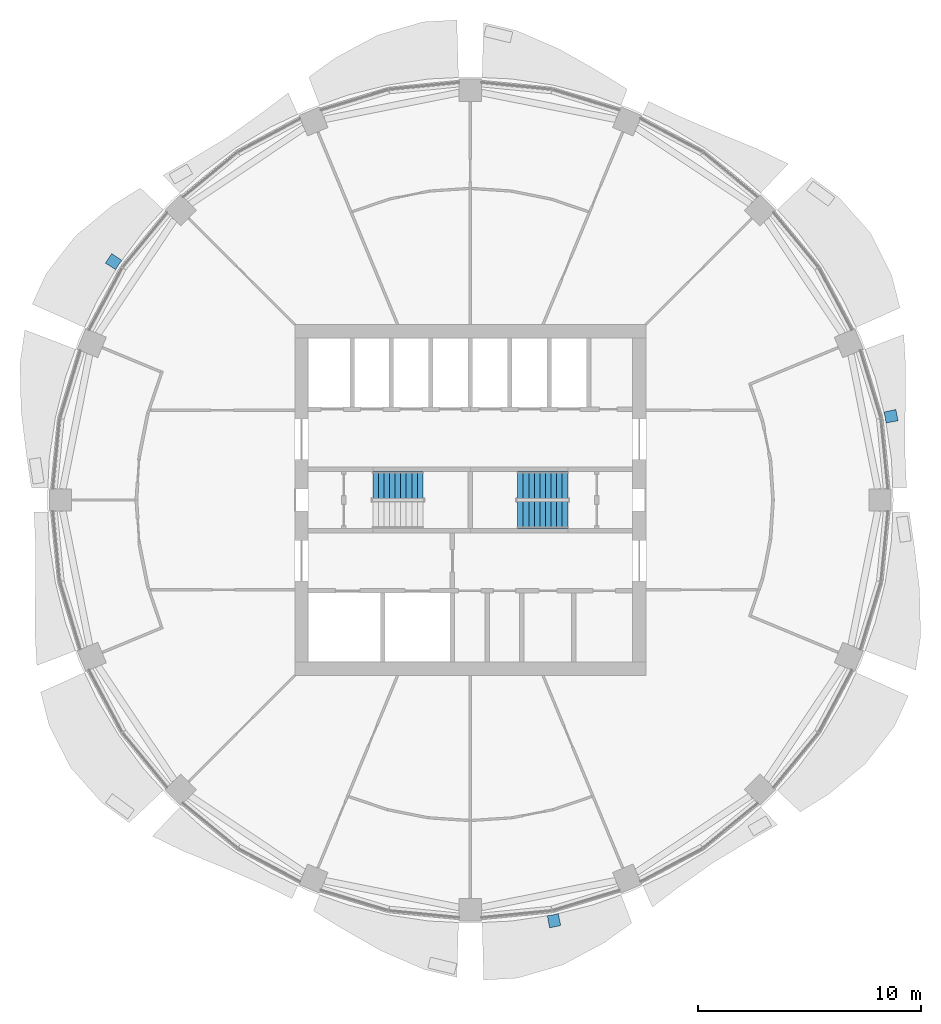
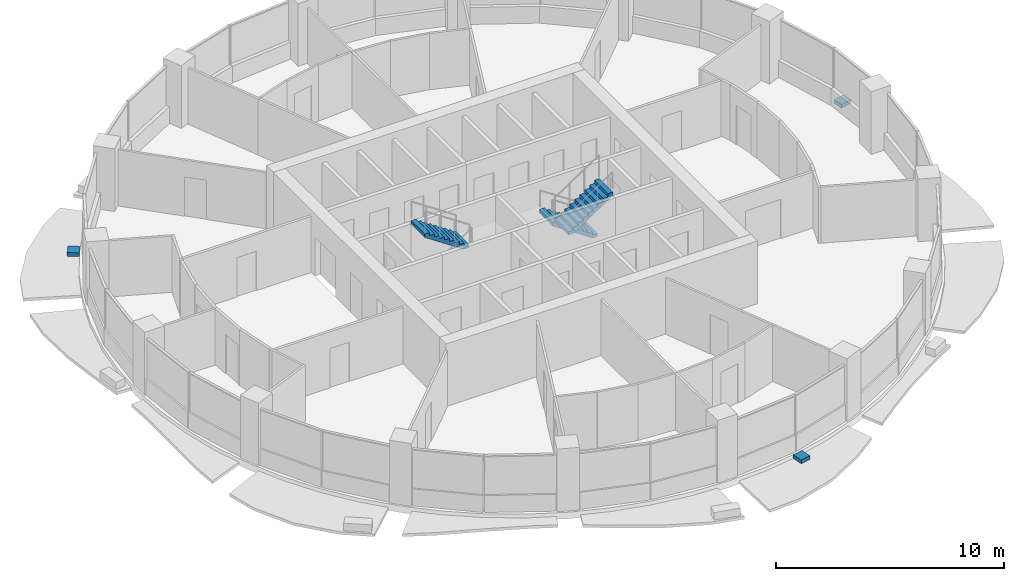
# One storey, part 11 of 15: 3 discrete accessories, 3 stair flights, 2 elements without a shape of their own.
"""IFC4 building model written with IfcOpenShell, lengths in metres."""

from ifc_helpers import new_model, si_unit, direction, frame, origin, place, context, subcontext, project, spatial, polyline, outline, extrude, material, type_object, element, aggregate, save


model = new_model("IFC4")

# Units and contexts
model_context = context("Model", 3, precision=1e-05, world=origin(), true_north=direction((0.0, 1.0)))
body_context = subcontext(model_context, "Body", "Model", "MODEL_VIEW")
ifc_project = project(units=[si_unit("LENGTHUNIT", "METRE"), si_unit("AREAUNIT", "SQUARE_METRE"), si_unit("VOLUMEUNIT", "CUBIC_METRE"), si_unit("PLANEANGLEUNIT", "RADIAN"), si_unit("MASSUNIT", "GRAM", prefix="KILO")], contexts=[model_context])

# Site, building, storey
site_placement = place(None, origin())
site = spatial("IfcSite", under=ifc_project, at=site_placement, CompositionType="ELEMENT")
building_placement = place(site_placement, origin())
building = spatial("IfcBuilding", under=site, at=building_placement, Name="Polderwave Tower", CompositionType="ELEMENT")
storey_placement = place(building_placement, frame((0.0, 0.0, 134.35009765625)))
storey = spatial("IfcBuildingStorey", under=building, at=storey_placement, Name="L35", CompositionType="ELEMENT", Elevation=134.35009765625)

# Stair, stair flight
ifc_material_1 = material(Name="Concrete C40/50", Category="concrete")
stair_type = type_object("IfcStairType", Name="Exit stair 1200 x 20 risers", PredefinedType="HALF_TURN_STAIR", material=ifc_material_1)
stair_1_placement = place(storey_placement, origin())
stair_1 = element("IfcStair", 1, at=stair_1_placement, inside=storey, type_object=stair_type, Name="L35 Exit stair A", PredefinedType="HALF_TURN_STAIR")
stair_flight_type = type_object("IfcStairFlightType", Name="Stair flight 1200", PredefinedType="STRAIGHT", material=ifc_material_1)
stair_flight_1_placement = place(storey_placement, frame((-2.1240234375, 0.675048828125, 1.6748046875), z_axis=(0.0, 0.0, 1.0), x_axis=(-1.0, 0.0, 0.0)))
stair_flight_1 = element("IfcStairFlight", 2, at=stair_flight_1_placement, type_object=stair_flight_type, Name="ST-A flight 2", NumberOfRisers=10, NumberOfTreads=9, PredefinedType="STRAIGHT", RiserHeight=0.1675, TreadLength=0.25, context=body_context, shape_type="SweptSolid", body=[
    extrude(outline(polyline([(0.0, 0.0), (0.0, 0.16748046875), (0.25, 0.16748046875), (0.25, 0.3349609375), (0.5, 0.3349609375), (0.5, 0.50244140625), (0.75, 0.50244140625), (0.75, 0.669921875), (1.0, 0.669921875), (1.0, 0.83740234375), (1.25, 0.83740234375), (1.25, 1.0048828125), (1.5, 1.0048828125), (1.5, 1.172607421875), (1.75, 1.172607421875), (1.75, 1.340087890625), (2.0, 1.340087890625), (2.0, 1.507568359375), (2.25, 1.507568359375), (2.25, 1.675048828125), (2.25, 1.3271484375), (0.269287109375, 0.0), (0.0, 0.0)])), frame((0.0, 0.60009765625, 0.0), z_axis=(0.0, -1.0, 0.0), x_axis=(1.0, 0.0, 0.0)), (0.0, 0.0, 1.0), 1.199951171875),
])
aggregate(stair_1, [stair_flight_1])

# Stair, stair flights
stair_2_placement = place(storey_placement, origin())
stair_2 = element("IfcStair", 3, at=stair_2_placement, inside=storey, type_object=stair_type, Name="L35 Exit stair B", PredefinedType="HALF_TURN_STAIR")
stair_flight_2_placement = place(storey_placement, frame((4.3740234375, 0.675048828125, 0.0), z_axis=(0.0, 0.0, 1.0), x_axis=(-1.0, 0.0, 0.0)))
stair_flight_2 = element("IfcStairFlight", 4, at=stair_flight_2_placement, type_object=stair_flight_type, Name="ST-B flight 1", NumberOfRisers=10, NumberOfTreads=9, PredefinedType="STRAIGHT", RiserHeight=0.1675, TreadLength=0.25, context=body_context, shape_type="SweptSolid", body=[
    extrude(outline(polyline([(0.0, 0.0), (0.0, 0.16748046875), (0.25, 0.16748046875), (0.25, 0.3349609375), (0.5, 0.3349609375), (0.5, 0.50244140625), (0.75, 0.50244140625), (0.75, 0.669921875), (1.0, 0.669921875), (1.0, 0.83740234375), (1.25, 0.83740234375), (1.25, 1.0048828125), (1.5, 1.0048828125), (1.5, 1.172607421875), (1.75, 1.172607421875), (1.75, 1.340087890625), (2.0, 1.340087890625), (2.0, 1.507568359375), (2.25, 1.507568359375), (2.25, 1.675048828125), (2.25, 1.3271484375), (0.269287109375, 0.0), (0.0, 0.0)])), frame((0.0, 0.60009765625, 0.0), z_axis=(0.0, -1.0, 0.0), x_axis=(1.0, 0.0, 0.0)), (0.0, 0.0, 1.0), 1.199951171875),
])
stair_flight_3_placement = place(storey_placement, frame((2.1240234375, -0.675048828125, 1.6748046875), z_axis=(0.0, 0.0, 1.0), x_axis=(1.0, 0.0, 0.0)))
stair_flight_3 = element("IfcStairFlight", 5, at=stair_flight_3_placement, type_object=stair_flight_type, Name="ST-B flight 2", NumberOfRisers=10, NumberOfTreads=9, PredefinedType="STRAIGHT", RiserHeight=0.1675, TreadLength=0.25, context=body_context, shape_type="SweptSolid", body=[
    extrude(outline(polyline([(0.0, 0.0), (0.0, 0.16748046875), (0.25, 0.16748046875), (0.25, 0.3349609375), (0.5, 0.3349609375), (0.5, 0.50244140625), (0.75, 0.50244140625), (0.75, 0.669921875), (1.0, 0.669921875), (1.0, 0.83740234375), (1.25, 0.83740234375), (1.25, 1.0048828125), (1.5, 1.0048828125), (1.5, 1.172607421875), (1.75, 1.172607421875), (1.75, 1.340087890625), (2.0, 1.340087890625), (2.0, 1.507568359375), (2.25, 1.507568359375), (2.25, 1.675048828125), (2.25, 1.3271484375), (0.269287109375, 0.0), (0.0, 0.0)])), frame((0.0, 0.60009765625, 0.0), z_axis=(0.0, -1.0, 0.0), x_axis=(1.0, 0.0, 0.0)), (0.0, 0.0, 1.0), 1.199951171875),
])
aggregate(stair_2, [stair_flight_2, stair_flight_3])

# Discrete accessories
ifc_material_2 = material(Name="Steel S355", Category="steel")
discrete_accessory_type = type_object("IfcDiscreteAccessoryType", Name="Band bracket pad", PredefinedType="BRACKET", material=ifc_material_2)
discrete_accessory_1_placement = place(storey_placement, frame((0.0, 0.0, -0.2001953125)))
element("IfcDiscreteAccessory", 6, at=discrete_accessory_1_placement, inside=storey, type_object=discrete_accessory_type, Name="Band bracket L35 1", PredefinedType="BRACKET", context=body_context, shape_type="SweptSolid", body=[
    extrude(outline(polyline([(18.652099609375, 3.45556640625), (18.615234375, 3.702880859375), (18.5546875, 3.9453125), (19.092529296875, 4.059814453125), (19.19287109375, 3.5556640625), (18.652099609375, 3.45556640625)])), origin(), (0.0, 0.0, 1.0), 0.2001953125),
])
discrete_accessory_2_placement = place(storey_placement, frame((0.0, 0.0, -0.2001953125)))
element("IfcDiscreteAccessory", 7, at=discrete_accessory_2_placement, inside=storey, type_object=discrete_accessory_type, Name="Band bracket L35 7", PredefinedType="BRACKET", context=body_context, shape_type="SweptSolid", body=[
    extrude(outline(polyline([(-15.63232421875, 10.74560546875), (-15.78125, 10.544677734375), (-15.909912109375, 10.330322265625), (-16.37109375, 10.6298828125), (-16.085693359375, 11.05712890625), (-15.63232421875, 10.74560546875)])), origin(), (0.0, 0.0, 1.0), 0.2001953125),
])
discrete_accessory_3_placement = place(storey_placement, frame((0.0, 0.0, -0.2001953125)))
element("IfcDiscreteAccessory", 8, at=discrete_accessory_3_placement, inside=storey, type_object=discrete_accessory_type, Name="Band bracket L35 13", PredefinedType="BRACKET", context=body_context, shape_type="SweptSolid", body=[
    extrude(outline(polyline([(3.45556640625, -18.652099609375), (3.702880859375, -18.615234375), (3.9453125, -18.5546875), (4.059814453125, -19.092529296875), (3.5556640625, -19.19287109375), (3.45556640625, -18.652099609375)])), origin(), (0.0, 0.0, 1.0), 0.2001953125),
])

save(model, "model.ifc")
